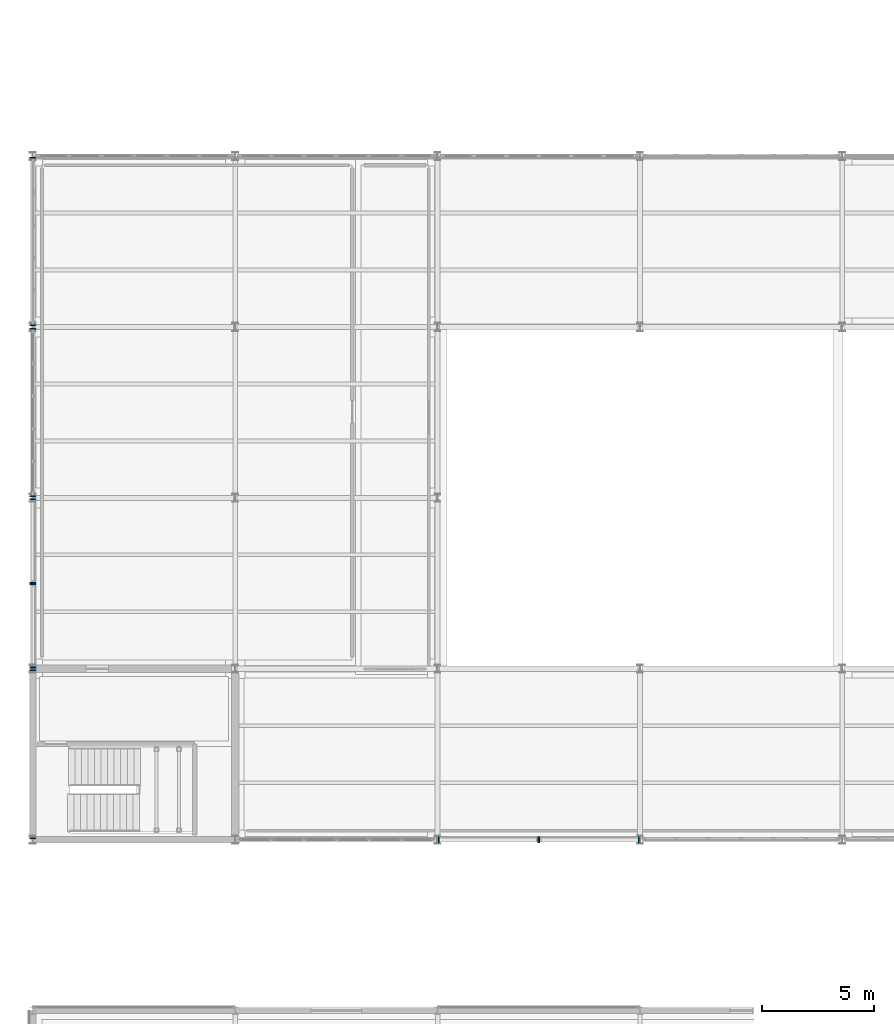
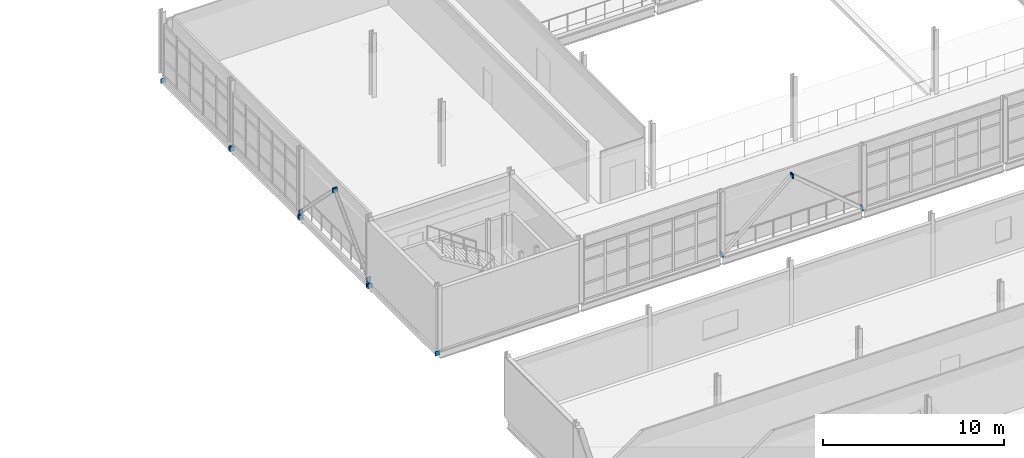
# One storey, part 145 of 174: 16 plates.
"""IFC4 building model written with IfcOpenShell, lengths in metres."""

from ifc_helpers import new_model, si_unit, direction, frame, origin, origin_2d, place, context, subcontext, project, spatial, rectangle, extrude, material, layer, layer_set, type_object, element, save


model = new_model("IFC4")

# Units and contexts
model_context = context("Model", 3, precision=1e-05, world=origin(), true_north=direction((0.0, 1.0)))
body_context = subcontext(model_context, "Body", "Model", "MODEL_VIEW")
ifc_project = project(units=[si_unit("LENGTHUNIT", "METRE"), si_unit("AREAUNIT", "SQUARE_METRE"), si_unit("VOLUMEUNIT", "CUBIC_METRE"), si_unit("PLANEANGLEUNIT", "RADIAN"), si_unit("MASSUNIT", "GRAM", prefix="KILO")], contexts=[model_context])

# Site, building, storey
site_placement = place(None, origin())
site = spatial("IfcSite", under=ifc_project, at=site_placement, CompositionType="ELEMENT")
building_placement = place(site_placement, origin())
building = spatial("IfcBuilding", under=site, at=building_placement, Name="Caisbarro Railhouse Central Library", CompositionType="ELEMENT")
storey_placement = place(building_placement, frame((0.0, 0.0, 5.0400390625)))
storey = spatial("IfcBuildingStorey", under=building, at=storey_placement, Name="L01", CompositionType="ELEMENT", Elevation=5.0400390625)

# Plates
ifc_material = material(Name="Steel ASTM A572 Grade 50", Category="steel")
ifc_layer = layer(ifc_material, 0.044921875, Name="Steel ASTM A572 Grade 50")
ifc_layer_set = layer_set([ifc_layer], Name="Steel ASTM A572 Grade 50")
plate_type = type_object("IfcPlateType", Name="PLT-EP01", PredefinedType="SHEET", material=ifc_layer_set)
for number, where, z_axis, x_axis, name in (
    (1, (0.0, 30.468017578125, -0.52001953125), (0.0, 0.0, 1.0), (0.0, 1.0, 0.0), "EP01 end cap plate"),
    (2, (0.0, 37.931884765625, -0.52001953125), (0.0, 0.0, 1.0), (0.0, 1.0, 0.0), "EP01 end cap plate"),
    (3, (0.0, 38.068115234375, -0.52001953125), (0.0, 0.0, 1.0), (0.0, 1.0, 0.0), "EP01 end cap plate"),
    (4, (0.0, 45.531982421875, -0.52001953125), (0.0, 0.0, 1.0), (0.0, 1.0, 0.0), "EP01 end cap plate"),
    (5, (0.0, 45.66796875, -0.52001953125), (0.0, 0.0, 1.0), (0.0, 1.0, 0.0), "EP01 end cap plate"),
    (6, (0.0, 53.132080078125, -0.52001953125), (0.0, 0.0, 1.0), (0.0, 1.0, 0.0), "EP01 end cap plate"),
    (7, (0.0, 53.26806640625, -0.52001953125), (0.0, 0.0, 1.0), (0.0, 1.0, 0.0), "EP01 end cap plate"),
    (8, (0.0, 60.73193359375, -0.52001953125), (0.0, 0.0, 1.0), (0.0, 1.0, 0.0), "EP01 end cap plate"),
    (9, (18.05078125, 30.39990234375, -0.1376953125), (0.0, 0.0, 1.0), (1.0, 0.0, 0.0), "EP01 end cap plate"),
    (10, (22.46923828125, 30.39990234375, 3.59765625), (0.0, 0.0, 1.0), (1.0, 0.0, 0.0), "EP01 end cap plate"),
    (11, (26.94921875, 30.39990234375, -0.1376953125), (0.0, 0.0, 1.0), (-1.0, 0.0, 0.0), "EP01 end cap plate"),
    (12, (22.53076171875, 30.39990234375, 3.59765625), (0.0, 0.0, 1.0), (-1.0, 0.0, 0.0), "EP01 end cap plate"),
    (13, (0.0, 38.051513671875, -0.138671875), (0.0, 0.0, 1.0), (0.0, 1.0, 0.0), "EP01 end cap plate"),
    (14, (0.0, 41.7685546875, 3.5986328125), (0.0, 0.0, 1.0), (0.0, 1.0, 0.0), "EP01 end cap plate"),
    (15, (0.0, 45.548583984375, -0.138671875), (0.0, 0.0, 1.0), (0.0, -1.0, 0.0), "EP01 end cap plate"),
    (16, (0.0, 41.83154296875, 3.5986328125), (0.0, 0.0, 1.0), (0.0, -1.0, 0.0), "EP01 end cap plate"),
):
    element("IfcPlate", number, at=place(storey_placement, frame(where, z_axis=z_axis, x_axis=x_axis)), inside=storey, type_object=plate_type, Name=name, PredefinedType="SHEET", context=body_context, shape_type="SweptSolid", body=[
        extrude(rectangle(XDim=0.044921875, YDim=0.280029296875, at=origin_2d()), origin(), (0.0, 0.0, 1.0), 0.300048828125),
    ])

save(model, "model.ifc")
